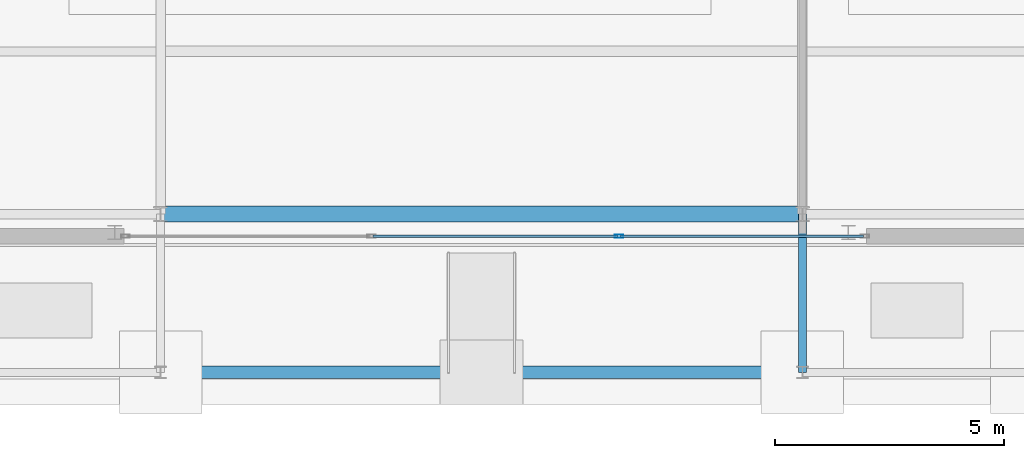
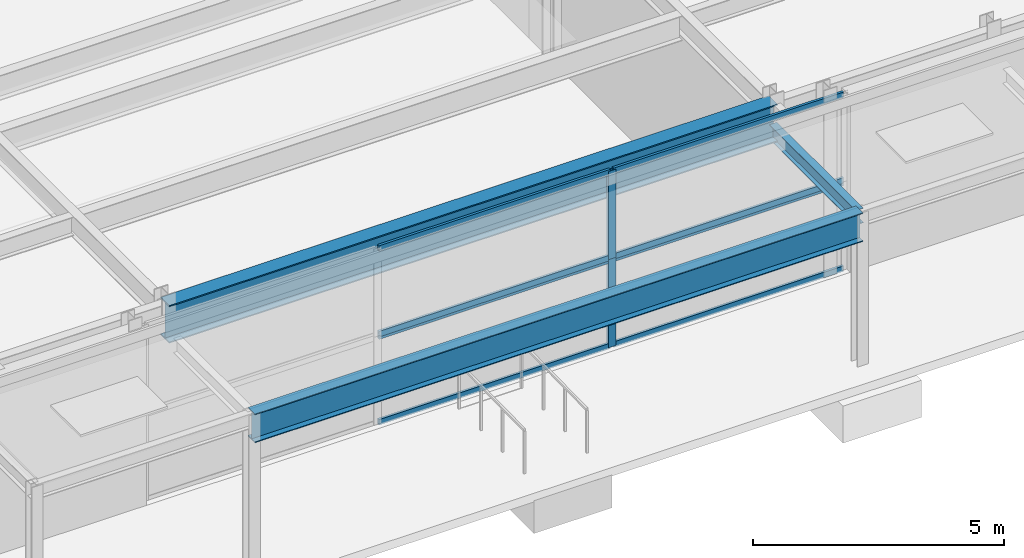
# One storey, part 12 of 29: 10 members, 3 beams, 2 elements without a shape of their own.
"""IFC4 building model written with IfcOpenShell, lengths in metres."""

from ifc_helpers import new_model, si_unit, direction, frame, origin, origin_2d, place, context, subcontext, project, spatial, hollow_rectangle, i_section, extrude, source, transform, mapped, material, layer, layer_set, material_profile, profile_set, type_object, element, aggregate, save


model = new_model("IFC4")

# Units and contexts
model_context = context("Model", 3, precision=1e-05, world=origin(), true_north=direction((0.0, 1.0)))
body_context = subcontext(model_context, "Body", "Model", "MODEL_VIEW")
ifc_project = project(units=[si_unit("LENGTHUNIT", "METRE"), si_unit("AREAUNIT", "SQUARE_METRE"), si_unit("VOLUMEUNIT", "CUBIC_METRE"), si_unit("PLANEANGLEUNIT", "RADIAN"), si_unit("MASSUNIT", "GRAM", prefix="KILO")], contexts=[model_context])

# Site, building, storey
site_placement = place(None, origin())
site = spatial("IfcSite", under=ifc_project, at=site_placement, CompositionType="ELEMENT")
building_placement = place(site_placement, origin())
building = spatial("IfcBuilding", under=site, at=building_placement, Name="Taldren Reach Tower", CompositionType="ELEMENT")
storey_placement = place(building_placement, origin())
storey = spatial("IfcBuildingStorey", under=building, at=storey_placement, Name="L00", CompositionType="ELEMENT", Elevation=0.0)

# Beams
ifc_material_1 = material(Name="Steel Gr 350 (350PLUS)", Category="steel")
ifc_material_profile_1 = material_profile(ifc_material_1, i_section(OverallWidth=0.35009765625, OverallDepth=0.916015625, WebThickness=0.013916015625, FlangeThickness=0.028076171875, at=origin_2d()), Name="900WB257")
ifc_profile_set_1 = profile_set([ifc_material_profile_1], Name="Steel Gr 350 (350PLUS)")
beam_type_1 = type_object("IfcBeamType", Name="BM-WB900", PredefinedType="BEAM", material=ifc_profile_set_1)
shared_shape_1 = source(origin(), body_context, "Body", "SweptSolid", [
    extrude(i_section(OverallWidth=0.35009765625, OverallDepth=0.916015625, WebThickness=0.013916015625, FlangeThickness=0.028076171875, at=origin_2d()), origin(), (0.0, 0.0, 1.0), 14.0),
])
beam_1_placement = place(storey_placement, frame((28.0, 0.64990234375, 3.83203125), z_axis=(1.0, 0.0, 0.0), x_axis=(0.0, 1.0, 0.0)))
element("IfcBeam", 1, at=beam_1_placement, inside=storey, type_object=beam_type_1, Name="Podium girder L00-PD04", PredefinedType="BEAM", context=body_context, shape_type="MappedRepresentation", body=[
    mapped(shared_shape_1, transform((0.0, 0.0, 0.0), scale=1.0)),
])
ifc_material_profile_2 = material_profile(ifc_material_1, i_section(OverallWidth=0.172119140625, OverallDepth=0.35888671875, WebThickness=0.008056640625, FlangeThickness=0.012939453125, at=origin_2d()), Name="360UB56.7")
ifc_profile_set_2 = profile_set([ifc_material_profile_2], Name="Steel Gr 350 (350PLUS)")
beam_type_2 = type_object("IfcBeamType", Name="SP-UB360", PredefinedType="SPANDREL", material=ifc_profile_set_2)
shared_shape_2 = source(origin(), body_context, "Body", "SweptSolid", [
    extrude(i_section(OverallWidth=0.172119140625, OverallDepth=0.35888671875, WebThickness=0.008056640625, FlangeThickness=0.012939453125, at=origin_2d()), origin(), (0.0, 0.0, 1.0), 3.449951171875),
])
beam_2_placement = place(storey_placement, frame((42.0, 0.64990234375, 3.54052734375), z_axis=(0.0, -1.0, 0.0), x_axis=(1.0, 0.0, 0.0)))
element("IfcBeam", 2, at=beam_2_placement, inside=storey, type_object=beam_type_2, Name="South canopy beam 42", PredefinedType="SPANDREL", context=body_context, shape_type="MappedRepresentation", body=[
    mapped(shared_shape_2, transform((0.0, 0.0, 0.0), scale=1.0)),
])
ifc_material_profile_3 = material_profile(ifc_material_1, i_section(OverallWidth=0.27490234375, OverallDepth=0.699951171875, WebThickness=0.010009765625, FlangeThickness=0.02001953125, at=origin_2d()), Name="700WB150")
ifc_profile_set_3 = profile_set([ifc_material_profile_3], Name="Steel Gr 350 (350PLUS)")
beam_type_3 = type_object("IfcBeamType", Name="BM-WB700", PredefinedType="BEAM", material=ifc_profile_set_3)
shared_shape_3 = source(origin(), body_context, "Body", "SweptSolid", [
    extrude(i_section(OverallWidth=0.27490234375, OverallDepth=0.699951171875, WebThickness=0.010009765625, FlangeThickness=0.02001953125, at=origin_2d()), origin(), (0.0, 0.0, 1.0), 14.0),
])
beam_3_placement = place(storey_placement, frame((28.0, -2.800048828125, 3.3701171875), z_axis=(1.0, 0.0, 0.0), x_axis=(0.0, 1.0, 0.0)))
element("IfcBeam", 3, at=beam_3_placement, inside=storey, type_object=beam_type_3, Name="South canopy drop-off clear-span girder", PredefinedType="BEAM", context=body_context, shape_type="MappedRepresentation", body=[
    mapped(shared_shape_3, transform((0.0, 0.0, 0.0), scale=1.0)),
])

# Curtain wall, member
ifc_material_2 = material(Name="Aluminium and Low-E Glass Unitised System", Category="aluminium")
ifc_layer = layer(ifc_material_2, 0.159912109375)
ifc_layer_set = layer_set([ifc_layer], Name="Aluminium and Low-E Glass Unitised System")
curtain_wall_type = type_object("IfcCurtainWallType", Name="CW-SYS-1", PredefinedType="NOTDEFINED", material=ifc_layer_set)
curtain_wall_1_placement = place(storey_placement, origin())
curtain_wall_1 = element("IfcCurtainWall", 4, at=curtain_wall_1_placement, inside=storey, type_object=curtain_wall_type, Name="Unitised curtain wall CW1-L00-S2", PredefinedType="NOTDEFINED")
ifc_material_3 = material(Name="Anodised Aluminium 6063-T6", Category="aluminium")
ifc_material_profile_4 = material_profile(ifc_material_3, hollow_rectangle(XDim=0.070068359375, YDim=0.179931640625, WallThickness=0.00390625, at=origin_2d()), Name="ALU-180x70x4RHS")
ifc_profile_set_4 = profile_set([ifc_material_profile_4], Name="Anodised Aluminium 6063-T6")
member_type_1 = type_object("IfcMemberType", Name="CW-MUL-180", PredefinedType="MULLION", material=ifc_profile_set_4)
shared_shape_4 = source(origin(), body_context, "Body", "SweptSolid", [
    extrude(hollow_rectangle(XDim=0.070068359375, YDim=0.179931640625, WallThickness=0.00390625, at=origin_2d()), origin(), (0.0, 0.0, 1.0), 2.14501953125),
])
member_1_placement = place(storey_placement, frame((38.0, 0.169921875, 0.0), z_axis=(0.0, 0.0, 1.0), x_axis=(0.0, 1.0, 0.0)))
member_1 = element("IfcMember", 5, at=member_1_placement, type_object=member_type_1, Name="CW-1 mullion 3", PredefinedType="MULLION", context=body_context, shape_type="MappedRepresentation", body=[
    mapped(shared_shape_4, transform((0.0, 0.0, 0.0), scale=1.0)),
])

curtain_wall_2_placement = place(storey_placement, origin())
curtain_wall_2 = element("IfcCurtainWall", 6, at=curtain_wall_2_placement, inside=storey, type_object=curtain_wall_type, Name="Unitised curtain wall CW1-L00-S2-T2", PredefinedType="NOTDEFINED")
member_2_placement = place(storey_placement, frame((38.0, 0.169921875, 2.14501953125), z_axis=(0.0, 0.0, 1.0), x_axis=(0.0, 1.0, 0.0)))
member_2 = element("IfcMember", 7, at=member_2_placement, type_object=member_type_1, Name="CW-1 mullion 3", PredefinedType="MULLION", context=body_context, shape_type="MappedRepresentation", body=[
    mapped(shared_shape_4, transform((0.0, 0.0, 0.0), scale=1.0)),
])

# Member
ifc_material_profile_5 = material_profile(ifc_material_3, hollow_rectangle(XDim=0.06005859375, YDim=0.135009765625, WallThickness=0.00341796875, at=origin_2d()), Name="ALU-135x60x3.5RHS")
ifc_profile_set_5 = profile_set([ifc_material_profile_5], Name="Anodised Aluminium 6063-T6")
member_type_2 = type_object("IfcMemberType", Name="CW-TRN-150", PredefinedType="USERDEFINED", material=ifc_profile_set_5)
shared_shape_5 = source(origin(), body_context, "Body", "SweptSolid", [
    extrude(hollow_rectangle(XDim=0.06005859375, YDim=0.135009765625, WallThickness=0.00341796875, at=origin_2d()), origin(), (0.0, 0.0, 1.0), 5.330078125),
])
member_3_placement = place(storey_placement, frame((32.635009765625, 0.169921875, 0.030029296875), z_axis=(1.0, 0.0, 0.0), x_axis=(0.0, 1.0, 0.0)))
member_3 = element("IfcMember", 8, at=member_3_placement, type_object=member_type_2, Name="CW-1 transom 2.1", ObjectType="TRANSOM", PredefinedType="USERDEFINED", context=body_context, shape_type="MappedRepresentation", body=[
    mapped(shared_shape_5, transform((0.0, 0.0, 0.0), scale=1.0)),
])

member_4_placement = place(storey_placement, frame((32.635009765625, 0.169921875, 2.114990234375), z_axis=(1.0, 0.0, 0.0), x_axis=(0.0, 1.0, 0.0)))
member_4 = element("IfcMember", 9, at=member_4_placement, type_object=member_type_2, Name="CW-1 transom 2.2", ObjectType="TRANSOM", PredefinedType="USERDEFINED", context=body_context, shape_type="MappedRepresentation", body=[
    mapped(shared_shape_5, transform((0.0, 0.0, 0.0), scale=1.0)),
])

member_5_placement = place(storey_placement, frame((32.635009765625, 0.169921875, 2.175048828125), z_axis=(1.0, 0.0, 0.0), x_axis=(0.0, 1.0, 0.0)))
member_5 = element("IfcMember", 10, at=member_5_placement, type_object=member_type_2, Name="CW-1 transom 2.1", ObjectType="TRANSOM", PredefinedType="USERDEFINED", context=body_context, shape_type="MappedRepresentation", body=[
    mapped(shared_shape_5, transform((0.0, 0.0, 0.0), scale=1.0)),
])

member_6_placement = place(storey_placement, frame((32.635009765625, 0.169921875, 4.260009765625), z_axis=(1.0, 0.0, 0.0), x_axis=(0.0, 1.0, 0.0)))
member_6 = element("IfcMember", 11, at=member_6_placement, type_object=member_type_2, Name="CW-1 transom 2.2", ObjectType="TRANSOM", PredefinedType="USERDEFINED", context=body_context, shape_type="MappedRepresentation", body=[
    mapped(shared_shape_5, transform((0.0, 0.0, 0.0), scale=1.0)),
])

shared_shape_6 = source(origin(), body_context, "Body", "SweptSolid", [
    extrude(hollow_rectangle(XDim=0.06005859375, YDim=0.135009765625, WallThickness=0.00341796875, at=origin_2d()), origin(), (0.0, 0.0, 1.0), 5.295166015625),
])
member_7_placement = place(storey_placement, frame((38.034912109375, 0.169921875, 0.030029296875), z_axis=(1.0, 0.0, 0.0), x_axis=(0.0, 1.0, 0.0)))
member_7 = element("IfcMember", 12, at=member_7_placement, type_object=member_type_2, Name="CW-1 transom 3.1", ObjectType="TRANSOM", PredefinedType="USERDEFINED", context=body_context, shape_type="MappedRepresentation", body=[
    mapped(shared_shape_6, transform((0.0, 0.0, 0.0), scale=1.0)),
])

member_8_placement = place(storey_placement, frame((38.034912109375, 0.169921875, 2.114990234375), z_axis=(1.0, 0.0, 0.0), x_axis=(0.0, 1.0, 0.0)))
member_8 = element("IfcMember", 13, at=member_8_placement, type_object=member_type_2, Name="CW-1 transom 3.2", ObjectType="TRANSOM", PredefinedType="USERDEFINED", context=body_context, shape_type="MappedRepresentation", body=[
    mapped(shared_shape_6, transform((0.0, 0.0, 0.0), scale=1.0)),
])

aggregate(curtain_wall_1, [member_1, member_3, member_4, member_7, member_8])

member_9_placement = place(storey_placement, frame((38.034912109375, 0.169921875, 2.175048828125), z_axis=(1.0, 0.0, 0.0), x_axis=(0.0, 1.0, 0.0)))
member_9 = element("IfcMember", 14, at=member_9_placement, type_object=member_type_2, Name="CW-1 transom 3.1", ObjectType="TRANSOM", PredefinedType="USERDEFINED", context=body_context, shape_type="MappedRepresentation", body=[
    mapped(shared_shape_6, transform((0.0, 0.0, 0.0), scale=1.0)),
])

member_10_placement = place(storey_placement, frame((38.034912109375, 0.169921875, 4.260009765625), z_axis=(1.0, 0.0, 0.0), x_axis=(0.0, 1.0, 0.0)))
member_10 = element("IfcMember", 15, at=member_10_placement, type_object=member_type_2, Name="CW-1 transom 3.2", ObjectType="TRANSOM", PredefinedType="USERDEFINED", context=body_context, shape_type="MappedRepresentation", body=[
    mapped(shared_shape_6, transform((0.0, 0.0, 0.0), scale=1.0)),
])

aggregate(curtain_wall_2, [member_2, member_5, member_6, member_9, member_10])

save(model, "model.ifc")
